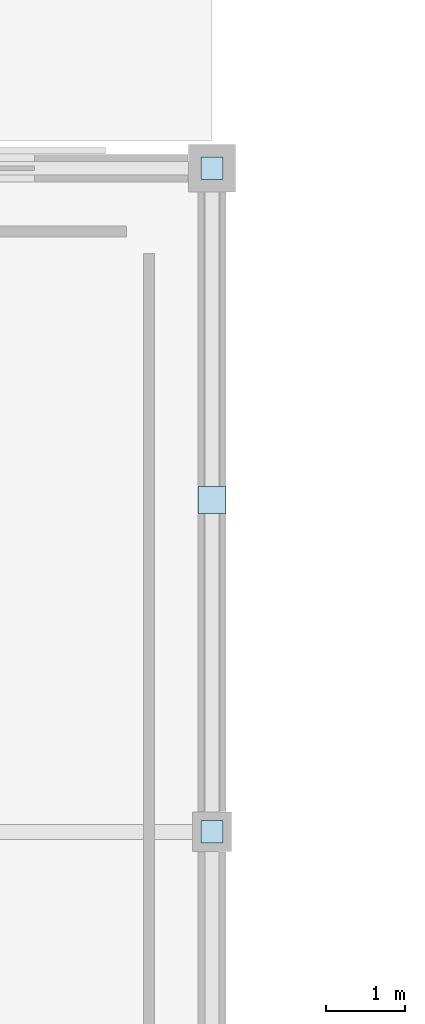
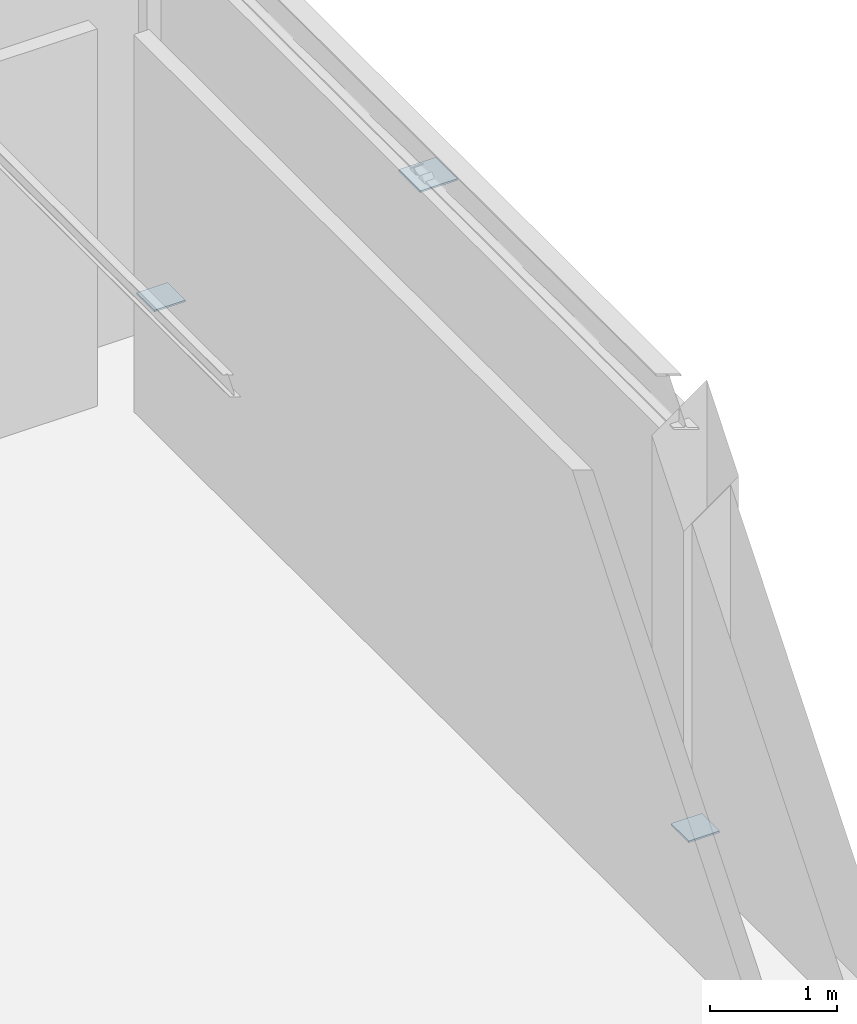
# One storey, part 85 of 119: 3 plates.
"""IFC4 building model written with IfcOpenShell, lengths in metres."""

from ifc_helpers import new_model, si_unit, derived_unit, direction, frame, origin, origin_2d_with_axis, place, context, subcontext, project, spatial, rectangle, extrude, material, layer, layer_set, type_object, element, save


model = new_model("IFC4")

# Units and contexts
model_context = context("Model", 3, precision=1e-05, world=origin(), true_north=direction((0.0, 1.0)))
body_context = subcontext(model_context, "Body", "Model", "MODEL_VIEW")
ifc_project = project(units=[si_unit("LENGTHUNIT", "METRE"), si_unit("AREAUNIT", "SQUARE_METRE"), si_unit("VOLUMEUNIT", "CUBIC_METRE"), si_unit("PLANEANGLEUNIT", "RADIAN"), si_unit("MASSUNIT", "GRAM", prefix="KILO"), derived_unit("THERMALTRANSMITTANCEUNIT", [(si_unit("POWERUNIT", "WATT"), 1), (si_unit("LENGTHUNIT", "METRE"), -2), (si_unit("THERMODYNAMICTEMPERATUREUNIT", "KELVIN"), -1)])], contexts=[model_context])

# Site, building, storey
site_placement = place(None, origin())
site = spatial("IfcSite", under=ifc_project, at=site_placement, CompositionType="ELEMENT")
building_placement = place(site_placement, origin())
building = spatial("IfcBuilding", under=site, at=building_placement, Name="Cinnabar Yard Market Hall", CompositionType="ELEMENT")
storey_placement = place(building_placement, origin())
storey = spatial("IfcBuildingStorey", under=building, at=storey_placement, Name="L00", CompositionType="ELEMENT", Elevation=0.0)

# Plates
ifc_material = material(Name="Steel Grade 350 (350 MPa)", Category="steel")
ifc_layer_1 = layer(ifc_material, 0.01611328125)
ifc_layer_set_1 = layer_set([ifc_layer_1], Name="Steel Grade 350 (350 MPa)")
plate_type_1 = type_object("IfcPlateType", Name="PL-NP18E", PredefinedType="SHEET", material=ifc_layer_set_1)
plate_placement = place(storey_placement, frame((162.0, 133.800048828125, 3.85205078125), z_axis=(0.0, 0.0, 1.0), x_axis=(1.0, 0.0, 0.0)))
element("IfcPlate", 1, at=plate_placement, inside=storey, type_object=plate_type_1, Name="Brace Apex Gusset CBF-V3-E0", PredefinedType="SHEET", context=body_context, shape_type="SweptSolid", body=[
    extrude(rectangle(XDim=0.340087890625, YDim=0.340087890625, at=origin_2d_with_axis()), origin(), (0.0, 0.0, 1.0), 0.01611328125),
])
ifc_layer_2 = layer(ifc_material, 0.01611328125)
ifc_layer_set_2 = layer_set([ifc_layer_2], Name="Steel Grade 350 (350 MPa)")
plate_type_2 = type_object("IfcPlateType", Name="PL-NP19E", PredefinedType="SHEET", material=ifc_layer_set_2)
for number, where, z_axis, x_axis, name in (
    (2, (162.0, 129.60009765625, 0.1318359375), (0.0, 0.0, 1.0), (1.0, 0.0, 0.0), "Brace Base Gusset CBF-V3-E0 L"),
    (3, (162.0, 138.0, 0.1318359375), (0.0, 0.0, 1.0), (1.0, 0.0, 0.0), "Brace Base Gusset CBF-V3-E0 R"),
):
    element("IfcPlate", number, at=place(storey_placement, frame(where, z_axis=z_axis, x_axis=x_axis)), inside=storey, type_object=plate_type_2, Name=name, PredefinedType="SHEET", context=body_context, shape_type="SweptSolid", body=[
        extrude(rectangle(XDim=0.280029296875, YDim=0.280029296875, at=origin_2d_with_axis()), origin(), (0.0, 0.0, 1.0), 0.01611328125),
    ])

save(model, "model.ifc")
